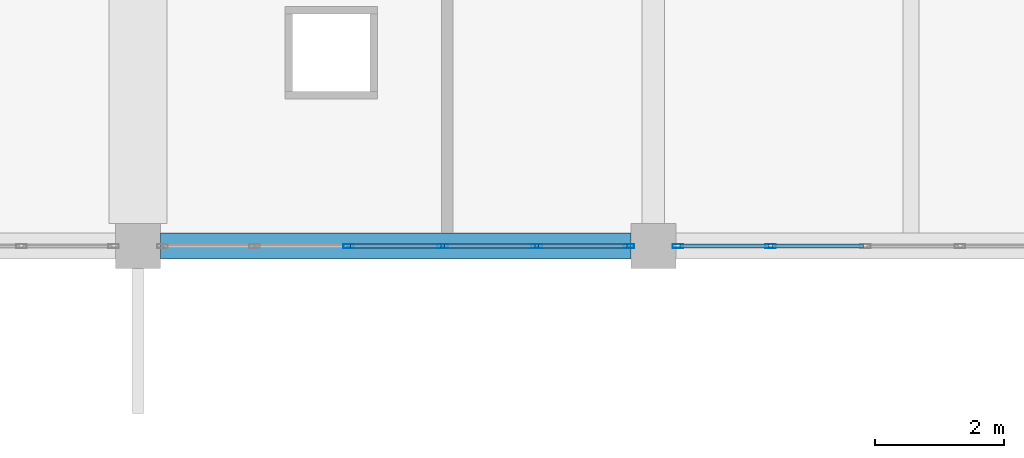
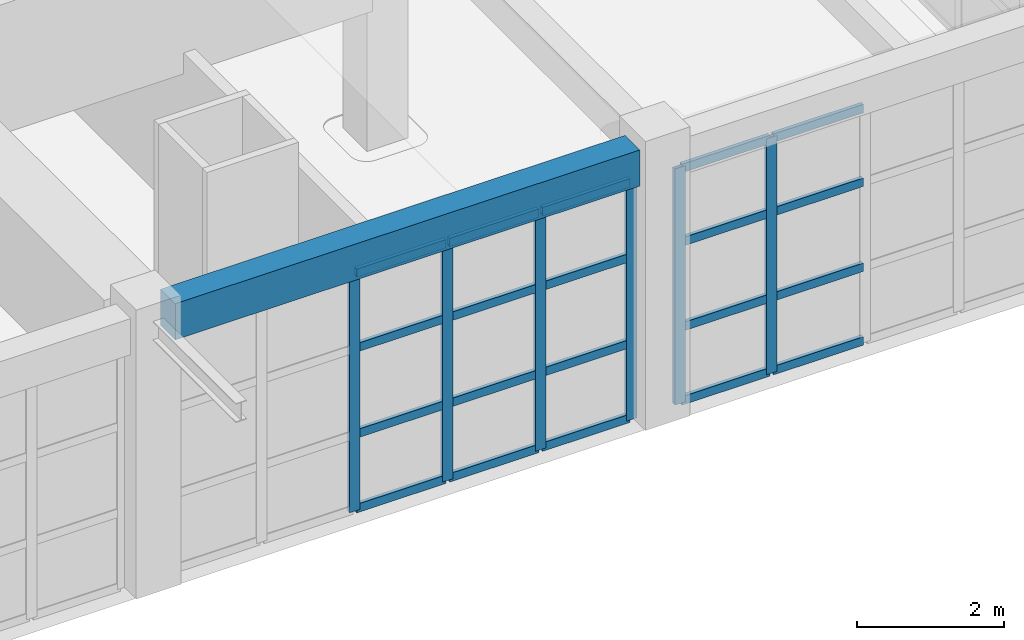
# One storey, part 20 of 50: 26 members, 1 beam, 2 elements without a shape of their own.
"""IFC4 building model written with IfcOpenShell, lengths in metres."""

from ifc_helpers import new_model, si_unit, direction, frame, origin, origin_2d, place, context, subcontext, project, spatial, rectangle, hollow_rectangle, extrude, material, material_profile, profile_set, type_object, element, aggregate, save


model = new_model("IFC4")

# Units and contexts
model_context = context("Model", 3, precision=1e-05, world=origin(), true_north=direction((0.0, 1.0)))
body_context = subcontext(model_context, "Body", "Model", "MODEL_VIEW")
ifc_project = project(units=[si_unit("LENGTHUNIT", "METRE"), si_unit("AREAUNIT", "SQUARE_METRE"), si_unit("VOLUMEUNIT", "CUBIC_METRE"), si_unit("PLANEANGLEUNIT", "RADIAN"), si_unit("MASSUNIT", "GRAM", prefix="KILO")], contexts=[model_context])

# Site, building, storey
site_placement = place(None, origin())
site = spatial("IfcSite", under=ifc_project, at=site_placement, CompositionType="ELEMENT")
building_placement = place(site_placement, origin())
building = spatial("IfcBuilding", under=site, at=building_placement, Name="Zantavel Square City Hall", CompositionType="ELEMENT")
storey_placement = place(building_placement, frame((0.0, 0.0, 18.89990234375)))
storey = spatial("IfcBuildingStorey", under=building, at=storey_placement, Name="L05", CompositionType="ELEMENT", Elevation=18.89990234375)

# Curtain wall, members
ifc_material_1 = material(Name="Anodised aluminium 6063-T6", Category="aluminium")
curtain_wall_type_1 = type_object("IfcCurtainWallType", Name="Curtain Wall TRV1 7350x3920", PredefinedType="USERDEFINED", material=ifc_material_1)
curtain_wall_1_placement = place(storey_placement, origin())
curtain_wall_1 = element("IfcCurtainWall", 1, at=curtain_wall_1_placement, inside=storey, type_object=curtain_wall_type_1, Name="L05 Glazed Curtain Wall CW-L05-133", ObjectType="GLAZED CURTAIN WALL", PredefinedType="USERDEFINED")
ifc_material_profile_1 = material_profile(ifc_material_1, hollow_rectangle(XDim=0.06005859375, YDim=0.1650390625, WallThickness=0.00390625, at=origin_2d()), Name="ALU 60x165x4")
ifc_profile_set_1 = profile_set([ifc_material_profile_1], Name="Anodised aluminium 6063-T6")
member_type_1 = type_object("IfcMemberType", Name="CW Council Gallery Mullion ALU 60x165x4", PredefinedType="MULLION", material=ifc_profile_set_1)
member_1_placement = place(storey_placement, frame((105.820068359375, 30.39990234375, 0.0), z_axis=(0.0, 0.0, 1.0), x_axis=(0.0, -1.0, 0.0)))
member_1 = element("IfcMember", 2, at=member_1_placement, type_object=member_type_1, Name="CW-133 mullion 5", PredefinedType="MULLION", context=body_context, shape_type="SweptSolid", body=[
    extrude(hollow_rectangle(XDim=0.06005859375, YDim=0.1650390625, WallThickness=0.00390625, at=origin_2d()), origin(), (0.0, 0.0, 1.0), 3.920166015625),
])
member_2_placement = place(storey_placement, frame((104.3798828125, 30.39990234375, 0.0), z_axis=(0.0, 0.0, 1.0), x_axis=(0.0, -1.0, 0.0)))
member_2 = element("IfcMember", 3, at=member_2_placement, type_object=member_type_1, Name="CW-133 mullion 6", PredefinedType="MULLION", context=body_context, shape_type="SweptSolid", body=[
    extrude(hollow_rectangle(XDim=0.06005859375, YDim=0.1650390625, WallThickness=0.00390625, at=origin_2d()), origin(), (0.0, 0.0, 1.0), 3.920166015625),
])

curtain_wall_type_2 = type_object("IfcCurtainWallType", Name="Curtain Wall TRV1 7300x3970", PredefinedType="USERDEFINED", material=ifc_material_1)
curtain_wall_2_placement = place(storey_placement, origin())
curtain_wall_2 = element("IfcCurtainWall", 4, at=curtain_wall_2_placement, inside=storey, type_object=curtain_wall_type_2, Name="L05 Glazed Curtain Wall CW-L05-134", ObjectType="GLAZED CURTAIN WALL", PredefinedType="USERDEFINED")
member_3_placement = place(storey_placement, frame((103.6201171875, 30.39990234375, 0.0), z_axis=(0.0, 0.0, 1.0), x_axis=(0.0, -1.0, 0.0)))
member_3 = element("IfcMember", 5, at=member_3_placement, type_object=member_type_1, Name="CW-134 mullion 1", PredefinedType="MULLION", context=body_context, shape_type="SweptSolid", body=[
    extrude(hollow_rectangle(XDim=0.06005859375, YDim=0.1650390625, WallThickness=0.00390625, at=origin_2d()), origin(), (0.0, 0.0, 1.0), 3.97021484375),
])
member_4_placement = place(storey_placement, frame((102.18994140625, 30.39990234375, 0.0), z_axis=(0.0, 0.0, 1.0), x_axis=(0.0, -1.0, 0.0)))
member_4 = element("IfcMember", 6, at=member_4_placement, type_object=member_type_1, Name="CW-134 mullion 2", PredefinedType="MULLION", context=body_context, shape_type="SweptSolid", body=[
    extrude(hollow_rectangle(XDim=0.06005859375, YDim=0.1650390625, WallThickness=0.00390625, at=origin_2d()), origin(), (0.0, 0.0, 1.0), 3.97021484375),
])
member_5_placement = place(storey_placement, frame((100.72998046875, 30.39990234375, 0.0), z_axis=(0.0, 0.0, 1.0), x_axis=(0.0, -1.0, 0.0)))
member_5 = element("IfcMember", 7, at=member_5_placement, type_object=member_type_1, Name="CW-134 mullion 3", PredefinedType="MULLION", context=body_context, shape_type="SweptSolid", body=[
    extrude(hollow_rectangle(XDim=0.06005859375, YDim=0.1650390625, WallThickness=0.00390625, at=origin_2d()), origin(), (0.0, 0.0, 1.0), 3.97021484375),
])
member_6_placement = place(storey_placement, frame((99.27001953125, 30.39990234375, 0.0), z_axis=(0.0, 0.0, 1.0), x_axis=(0.0, -1.0, 0.0)))
member_6 = element("IfcMember", 8, at=member_6_placement, type_object=member_type_1, Name="CW-134 mullion 4", PredefinedType="MULLION", context=body_context, shape_type="SweptSolid", body=[
    extrude(hollow_rectangle(XDim=0.06005859375, YDim=0.1650390625, WallThickness=0.00390625, at=origin_2d()), origin(), (0.0, 0.0, 1.0), 3.97021484375),
])

# Member
ifc_material_profile_2 = material_profile(ifc_material_1, hollow_rectangle(XDim=0.06005859375, YDim=0.139892578125, WallThickness=0.00390625, at=origin_2d()), Name="ALU 60x140x4")
ifc_profile_set_2 = profile_set([ifc_material_profile_2], Name="Anodised aluminium 6063-T6")
member_type_2 = type_object("IfcMemberType", Name="CW Transom ALU 60x140x4", PredefinedType="USERDEFINED", material=ifc_profile_set_2)
member_7_placement = place(storey_placement, frame((107.260009765625, 30.39990234375, 0.030029296875), z_axis=(-1.0, 0.0, 0.0), x_axis=(0.0, -1.0, 0.0)))
member_7 = element("IfcMember", 9, at=member_7_placement, type_object=member_type_2, Name="CW-133 transom 4.1", ObjectType="TRANSOM", PredefinedType="USERDEFINED", context=body_context, shape_type="SweptSolid", body=[
    extrude(hollow_rectangle(XDim=0.06005859375, YDim=0.139892578125, WallThickness=0.00390625, at=origin_2d()), origin(), (0.0, 0.0, 1.0), 1.409912109375),
])

member_8_placement = place(storey_placement, frame((107.260009765625, 30.39990234375, 1.254150390625), z_axis=(-1.0, 0.0, 0.0), x_axis=(0.0, -1.0, 0.0)))
member_8 = element("IfcMember", 10, at=member_8_placement, type_object=member_type_2, Name="CW-133 transom 4.2", ObjectType="TRANSOM", PredefinedType="USERDEFINED", context=body_context, shape_type="SweptSolid", body=[
    extrude(hollow_rectangle(XDim=0.06005859375, YDim=0.139892578125, WallThickness=0.00390625, at=origin_2d()), origin(), (0.0, 0.0, 1.0), 1.409912109375),
])

member_9_placement = place(storey_placement, frame((107.260009765625, 30.39990234375, 2.666015625), z_axis=(-1.0, 0.0, 0.0), x_axis=(0.0, -1.0, 0.0)))
member_9 = element("IfcMember", 11, at=member_9_placement, type_object=member_type_2, Name="CW-133 transom 4.3", ObjectType="TRANSOM", PredefinedType="USERDEFINED", context=body_context, shape_type="SweptSolid", body=[
    extrude(hollow_rectangle(XDim=0.06005859375, YDim=0.139892578125, WallThickness=0.00390625, at=origin_2d()), origin(), (0.0, 0.0, 1.0), 1.409912109375),
])

member_10_placement = place(storey_placement, frame((107.260009765625, 30.39990234375, 3.89013671875), z_axis=(-1.0, 0.0, 0.0), x_axis=(0.0, -1.0, 0.0)))
member_10 = element("IfcMember", 12, at=member_10_placement, type_object=member_type_2, Name="CW-133 transom 4.4", ObjectType="TRANSOM", PredefinedType="USERDEFINED", context=body_context, shape_type="SweptSolid", body=[
    extrude(hollow_rectangle(XDim=0.06005859375, YDim=0.139892578125, WallThickness=0.00390625, at=origin_2d()), origin(), (0.0, 0.0, 1.0), 1.409912109375),
])

member_11_placement = place(storey_placement, frame((105.7900390625, 30.39990234375, 0.030029296875), z_axis=(-1.0, 0.0, 0.0), x_axis=(0.0, -1.0, 0.0)))
member_11 = element("IfcMember", 13, at=member_11_placement, type_object=member_type_2, Name="CW-133 transom 5.1", ObjectType="TRANSOM", PredefinedType="USERDEFINED", context=body_context, shape_type="SweptSolid", body=[
    extrude(hollow_rectangle(XDim=0.06005859375, YDim=0.139892578125, WallThickness=0.00390625, at=origin_2d()), origin(), (0.0, 0.0, 1.0), 1.380126953125),
])

member_12_placement = place(storey_placement, frame((105.7900390625, 30.39990234375, 1.254150390625), z_axis=(-1.0, 0.0, 0.0), x_axis=(0.0, -1.0, 0.0)))
member_12 = element("IfcMember", 14, at=member_12_placement, type_object=member_type_2, Name="CW-133 transom 5.2", ObjectType="TRANSOM", PredefinedType="USERDEFINED", context=body_context, shape_type="SweptSolid", body=[
    extrude(hollow_rectangle(XDim=0.06005859375, YDim=0.139892578125, WallThickness=0.00390625, at=origin_2d()), origin(), (0.0, 0.0, 1.0), 1.380126953125),
])

member_13_placement = place(storey_placement, frame((105.7900390625, 30.39990234375, 2.666015625), z_axis=(-1.0, 0.0, 0.0), x_axis=(0.0, -1.0, 0.0)))
member_13 = element("IfcMember", 15, at=member_13_placement, type_object=member_type_2, Name="CW-133 transom 5.3", ObjectType="TRANSOM", PredefinedType="USERDEFINED", context=body_context, shape_type="SweptSolid", body=[
    extrude(hollow_rectangle(XDim=0.06005859375, YDim=0.139892578125, WallThickness=0.00390625, at=origin_2d()), origin(), (0.0, 0.0, 1.0), 1.380126953125),
])

member_14_placement = place(storey_placement, frame((105.7900390625, 30.39990234375, 3.89013671875), z_axis=(-1.0, 0.0, 0.0), x_axis=(0.0, -1.0, 0.0)))
member_14 = element("IfcMember", 16, at=member_14_placement, type_object=member_type_2, Name="CW-133 transom 5.4", ObjectType="TRANSOM", PredefinedType="USERDEFINED", context=body_context, shape_type="SweptSolid", body=[
    extrude(hollow_rectangle(XDim=0.06005859375, YDim=0.139892578125, WallThickness=0.00390625, at=origin_2d()), origin(), (0.0, 0.0, 1.0), 1.380126953125),
])

aggregate(curtain_wall_1, [member_1, member_2, member_7, member_8, member_9, member_10, member_11, member_12, member_13, member_14])

member_15_placement = place(storey_placement, frame((103.590087890625, 30.39990234375, 0.030029296875), z_axis=(-1.0, 0.0, 0.0), x_axis=(0.0, -1.0, 0.0)))
member_15 = element("IfcMember", 17, at=member_15_placement, type_object=member_type_2, Name="CW-134 transom 1.1", ObjectType="TRANSOM", PredefinedType="USERDEFINED", context=body_context, shape_type="SweptSolid", body=[
    extrude(hollow_rectangle(XDim=0.06005859375, YDim=0.139892578125, WallThickness=0.00390625, at=origin_2d()), origin(), (0.0, 0.0, 1.0), 1.3701171875),
])

member_16_placement = place(storey_placement, frame((103.590087890625, 30.39990234375, 1.27001953125), z_axis=(-1.0, 0.0, 0.0), x_axis=(0.0, -1.0, 0.0)))
member_16 = element("IfcMember", 18, at=member_16_placement, type_object=member_type_2, Name="CW-134 transom 1.2", ObjectType="TRANSOM", PredefinedType="USERDEFINED", context=body_context, shape_type="SweptSolid", body=[
    extrude(hollow_rectangle(XDim=0.06005859375, YDim=0.139892578125, WallThickness=0.00390625, at=origin_2d()), origin(), (0.0, 0.0, 1.0), 1.3701171875),
])

member_17_placement = place(storey_placement, frame((103.590087890625, 30.39990234375, 2.7001953125), z_axis=(-1.0, 0.0, 0.0), x_axis=(0.0, -1.0, 0.0)))
member_17 = element("IfcMember", 19, at=member_17_placement, type_object=member_type_2, Name="CW-134 transom 1.3", ObjectType="TRANSOM", PredefinedType="USERDEFINED", context=body_context, shape_type="SweptSolid", body=[
    extrude(hollow_rectangle(XDim=0.06005859375, YDim=0.139892578125, WallThickness=0.00390625, at=origin_2d()), origin(), (0.0, 0.0, 1.0), 1.3701171875),
])

member_18_placement = place(storey_placement, frame((103.590087890625, 30.39990234375, 3.940185546875), z_axis=(-1.0, 0.0, 0.0), x_axis=(0.0, -1.0, 0.0)))
member_18 = element("IfcMember", 20, at=member_18_placement, type_object=member_type_2, Name="CW-134 transom 1.4", ObjectType="TRANSOM", PredefinedType="USERDEFINED", context=body_context, shape_type="SweptSolid", body=[
    extrude(hollow_rectangle(XDim=0.06005859375, YDim=0.139892578125, WallThickness=0.00390625, at=origin_2d()), origin(), (0.0, 0.0, 1.0), 1.3701171875),
])

member_19_placement = place(storey_placement, frame((102.159912109375, 30.39990234375, 0.030029296875), z_axis=(-1.0, 0.0, 0.0), x_axis=(0.0, -1.0, 0.0)))
member_19 = element("IfcMember", 21, at=member_19_placement, type_object=member_type_2, Name="CW-134 transom 2.1", ObjectType="TRANSOM", PredefinedType="USERDEFINED", context=body_context, shape_type="SweptSolid", body=[
    extrude(hollow_rectangle(XDim=0.06005859375, YDim=0.139892578125, WallThickness=0.00390625, at=origin_2d()), origin(), (0.0, 0.0, 1.0), 1.39990234375),
])

member_20_placement = place(storey_placement, frame((102.159912109375, 30.39990234375, 1.27001953125), z_axis=(-1.0, 0.0, 0.0), x_axis=(0.0, -1.0, 0.0)))
member_20 = element("IfcMember", 22, at=member_20_placement, type_object=member_type_2, Name="CW-134 transom 2.2", ObjectType="TRANSOM", PredefinedType="USERDEFINED", context=body_context, shape_type="SweptSolid", body=[
    extrude(hollow_rectangle(XDim=0.06005859375, YDim=0.139892578125, WallThickness=0.00390625, at=origin_2d()), origin(), (0.0, 0.0, 1.0), 1.39990234375),
])

member_21_placement = place(storey_placement, frame((102.159912109375, 30.39990234375, 2.7001953125), z_axis=(-1.0, 0.0, 0.0), x_axis=(0.0, -1.0, 0.0)))
member_21 = element("IfcMember", 23, at=member_21_placement, type_object=member_type_2, Name="CW-134 transom 2.3", ObjectType="TRANSOM", PredefinedType="USERDEFINED", context=body_context, shape_type="SweptSolid", body=[
    extrude(hollow_rectangle(XDim=0.06005859375, YDim=0.139892578125, WallThickness=0.00390625, at=origin_2d()), origin(), (0.0, 0.0, 1.0), 1.39990234375),
])

member_22_placement = place(storey_placement, frame((102.159912109375, 30.39990234375, 3.940185546875), z_axis=(-1.0, 0.0, 0.0), x_axis=(0.0, -1.0, 0.0)))
member_22 = element("IfcMember", 24, at=member_22_placement, type_object=member_type_2, Name="CW-134 transom 2.4", ObjectType="TRANSOM", PredefinedType="USERDEFINED", context=body_context, shape_type="SweptSolid", body=[
    extrude(hollow_rectangle(XDim=0.06005859375, YDim=0.139892578125, WallThickness=0.00390625, at=origin_2d()), origin(), (0.0, 0.0, 1.0), 1.39990234375),
])

member_23_placement = place(storey_placement, frame((100.699951171875, 30.39990234375, 0.030029296875), z_axis=(-1.0, 0.0, 0.0), x_axis=(0.0, -1.0, 0.0)))
member_23 = element("IfcMember", 25, at=member_23_placement, type_object=member_type_2, Name="CW-134 transom 3.1", ObjectType="TRANSOM", PredefinedType="USERDEFINED", context=body_context, shape_type="SweptSolid", body=[
    extrude(hollow_rectangle(XDim=0.06005859375, YDim=0.139892578125, WallThickness=0.00390625, at=origin_2d()), origin(), (0.0, 0.0, 1.0), 1.39990234375),
])

member_24_placement = place(storey_placement, frame((100.699951171875, 30.39990234375, 1.27001953125), z_axis=(-1.0, 0.0, 0.0), x_axis=(0.0, -1.0, 0.0)))
member_24 = element("IfcMember", 26, at=member_24_placement, type_object=member_type_2, Name="CW-134 transom 3.2", ObjectType="TRANSOM", PredefinedType="USERDEFINED", context=body_context, shape_type="SweptSolid", body=[
    extrude(hollow_rectangle(XDim=0.06005859375, YDim=0.139892578125, WallThickness=0.00390625, at=origin_2d()), origin(), (0.0, 0.0, 1.0), 1.39990234375),
])

member_25_placement = place(storey_placement, frame((100.699951171875, 30.39990234375, 2.7001953125), z_axis=(-1.0, 0.0, 0.0), x_axis=(0.0, -1.0, 0.0)))
member_25 = element("IfcMember", 27, at=member_25_placement, type_object=member_type_2, Name="CW-134 transom 3.3", ObjectType="TRANSOM", PredefinedType="USERDEFINED", context=body_context, shape_type="SweptSolid", body=[
    extrude(hollow_rectangle(XDim=0.06005859375, YDim=0.139892578125, WallThickness=0.00390625, at=origin_2d()), origin(), (0.0, 0.0, 1.0), 1.39990234375),
])

member_26_placement = place(storey_placement, frame((100.699951171875, 30.39990234375, 3.940185546875), z_axis=(-1.0, 0.0, 0.0), x_axis=(0.0, -1.0, 0.0)))
member_26 = element("IfcMember", 28, at=member_26_placement, type_object=member_type_2, Name="CW-134 transom 3.4", ObjectType="TRANSOM", PredefinedType="USERDEFINED", context=body_context, shape_type="SweptSolid", body=[
    extrude(hollow_rectangle(XDim=0.06005859375, YDim=0.139892578125, WallThickness=0.00390625, at=origin_2d()), origin(), (0.0, 0.0, 1.0), 1.39990234375),
])

aggregate(curtain_wall_2, [member_3, member_4, member_5, member_6, member_15, member_16, member_17, member_18, member_19, member_20, member_21, member_22, member_23, member_24, member_25, member_26])

# Beam
ifc_material_2 = material(Name="Concrete C35/45", Category="concrete")
ifc_material_profile_3 = material_profile(ifc_material_2, rectangle(XDim=0.39990234375, YDim=0.60009765625, at=origin_2d()), Name="RC 400x600")
ifc_profile_set_3 = profile_set([ifc_material_profile_3], Name="Concrete C35/45")
beam_type = type_object("IfcBeamType", Name="Perimeter Spandrel RC 400x600 C35/45", PredefinedType="SPANDREL", material=ifc_profile_set_3)
beam_placement = place(storey_placement, frame((96.35009765625, 30.39990234375, 4.27001953125), z_axis=(1.0, 0.0, 0.0), x_axis=(0.0, 1.0, 0.0)))
element("IfcBeam", 29, at=beam_placement, inside=storey, type_object=beam_type, Name="L05 Girder BMX-L05-0960-0304", PredefinedType="SPANDREL", context=body_context, shape_type="SweptSolid", body=[
    extrude(rectangle(XDim=0.39990234375, YDim=0.60009765625, at=origin_2d()), origin(), (0.0, 0.0, 1.0), 7.2998046875),
])

save(model, "model.ifc")
